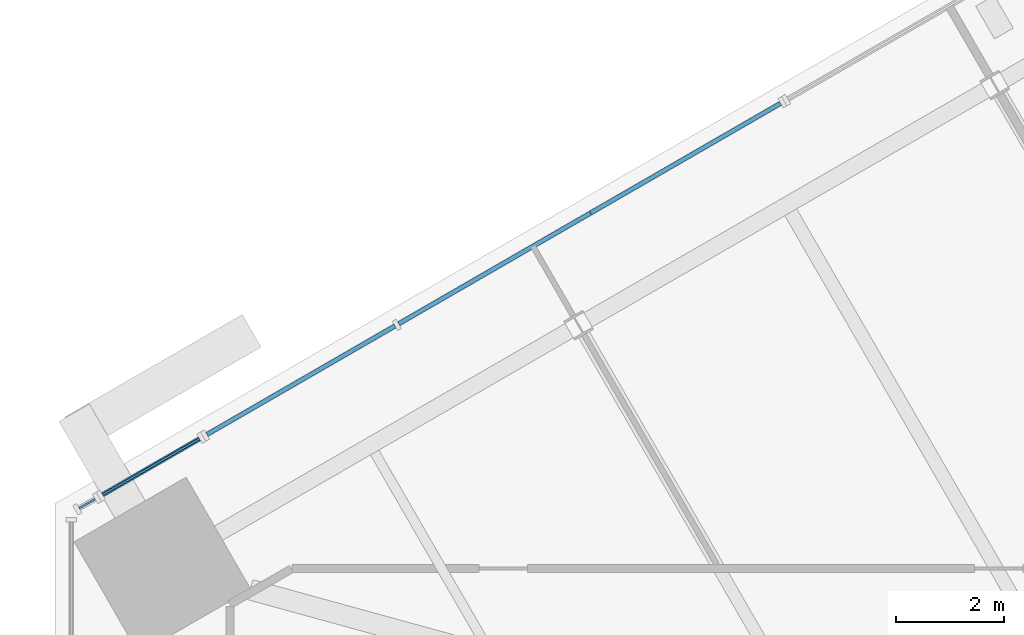
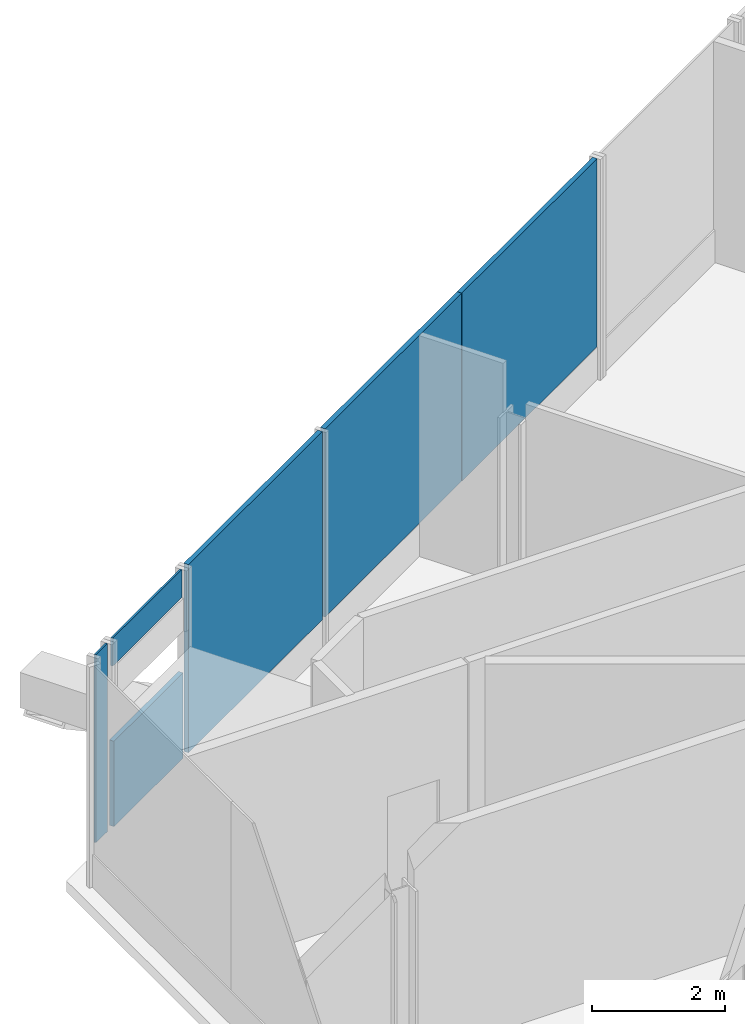
# One storey, part 14 of 22: 6 plates, 4 elements without a shape of their own.
"""IFC4 building model written with IfcOpenShell, lengths in metres."""

import ifcopenshell
import ifcopenshell.guid

model = None  # the IFC model being written
_history = None  # IfcOwnerHistory: only IFC2X3 demands one
_inside = {}  # id of a spatial element -> (the spatial element, [elements in it])
_under = {}  # id of a project, library or spatial element -> (it, [spatial elements below it])
_declared = {}  # id of a project -> (the project, [libraries it declares])
_typed = {}  # id of a type object -> (the type object, [elements of that type])
_made_of = {}  # id of a material, layer set ... -> (it, [elements and type objects made of it])


def new_model(schema):
    """Start an empty IFC model of exactly this schema.

    Asked for "IFC4X3", IfcOpenShell would pick the latest addendum, in which some entities
    have other attributes; the version numbers below select the first issue.
    IFC2X3 requires an IfcOwnerHistory on every rooted entity: one is made here for all.
    """
    global model, _history
    if schema == "IFC4X3":
        model = ifcopenshell.file(schema_version=(4, 3, 0, 0))
    else:
        model = ifcopenshell.file(schema=schema)
    _inside.clear()
    _under.clear()
    _declared.clear()
    _typed.clear()
    _made_of.clear()
    _history = None
    if model.schema == "IFC2X3":
        org = make("IfcOrganization", Name="unknown")
        user = make(
            "IfcPersonAndOrganization",
            ThePerson=make("IfcPerson", FamilyName="unknown"),
            TheOrganization=org,
        )
        app = make(
            "IfcApplication",
            ApplicationDeveloper=org,
            Version="unknown",
            ApplicationFullName="unknown",
            ApplicationIdentifier="unknown",
        )
        _history = make(
            "IfcOwnerHistory",
            OwningUser=user,
            OwningApplication=app,
            ChangeAction="ADDED",
            CreationDate=0,
        )
    return model


def make(cls, **values):
    """One entity of the class cls with the attributes given. An attribute that is None is left unset."""
    return model.create_entity(
        cls, **{name: value for name, value in values.items() if value is not None}
    )


def rooted(cls, **values):
    """An entity with a GlobalId (a new one), such as an element, a storey or a relation."""
    return make(cls, GlobalId=ifcopenshell.guid.new(), OwnerHistory=_history, **values)


def si_unit(unit_type, name, prefix=None):
    """IfcSIUnit, for example si_unit("LENGTHUNIT", "METRE", prefix="MILLI")."""
    return make("IfcSIUnit", UnitType=unit_type, Prefix=prefix, Name=name)


def assignment(units):
    """IfcUnitAssignment: the units of a project."""
    return None if units is None else make("IfcUnitAssignment", Units=units)


def point(xyz):
    """IfcCartesianPoint."""
    return None if xyz is None else make("IfcCartesianPoint", Coordinates=xyz)


def direction(xyz):
    """IfcDirection."""
    return None if xyz is None else make("IfcDirection", DirectionRatios=xyz)


def frame(location, z_axis=None, x_axis=None):
    """IfcAxis2Placement3D, a coordinate frame: its origin and axes. An axis left out is left unset."""
    return make(
        "IfcAxis2Placement3D",
        Location=point(location),
        Axis=direction(z_axis),
        RefDirection=direction(x_axis),
    )


def frame_2d(location, x_axis=None):
    """IfcAxis2Placement2D, a coordinate frame in the plane: its origin and x axis."""
    return make(
        "IfcAxis2Placement2D", Location=point(location), RefDirection=direction(x_axis)
    )


def origin():
    """The frame at (0, 0, 0) with its axes left unset."""
    return frame((0.0, 0.0, 0.0))


def origin_2d():
    """The frame at (0, 0) in the plane with its x axis left unset."""
    return frame_2d((0.0, 0.0))


def place(relative_to, where):
    """IfcLocalPlacement: puts the frame where relative to a parent placement (None: the world)."""
    return make(
        "IfcLocalPlacement", PlacementRelTo=relative_to, RelativePlacement=where
    )


def context(
    kind, dimensions, precision=None, world=None, true_north=None, identifier=None
):
    """IfcGeometricRepresentationContext, for example the 3D "Model" context."""
    return make(
        "IfcGeometricRepresentationContext",
        ContextIdentifier=identifier,
        ContextType=kind,
        CoordinateSpaceDimension=dimensions,
        Precision=precision,
        WorldCoordinateSystem=world,
        TrueNorth=true_north,
    )


def subcontext(parent, identifier, kind, view, scale=None):
    """IfcGeometricRepresentationSubContext, for example "Body" below "Model"."""
    return make(
        "IfcGeometricRepresentationSubContext",
        ContextIdentifier=identifier,
        ContextType=kind,
        ParentContext=parent,
        TargetScale=scale,
        TargetView=view,
    )


def project(units=None, contexts=None):
    """IfcProject with its units and contexts."""
    return rooted(
        "IfcProject",
        Name="project",
        RepresentationContexts=contexts,
        UnitsInContext=assignment(units),
    )


def spatial(cls, under=None, at=None, **own):
    """A site, building, storey or space (cls), placed at a placement, below another one or the project."""
    s = rooted(cls, ObjectPlacement=at, **own)
    if under is not None:
        _under.setdefault(under.id(), (under, []))[1].append(s)
    return s


def profile(cls, at=None, kind="AREA", **sizes):
    """A parametric profile (cls). Its sizes go by their IFC names, for example OverallWidth=200.0."""
    return make(cls, ProfileType=kind, Position=at, **sizes)


def rectangle(**sizes):
    """IfcRectangleProfileDef."""
    return profile("IfcRectangleProfileDef", **sizes)


def extrude(swept, where, along, depth):
    """IfcExtrudedAreaSolid: the profile swept, set in the frame where, extruded along a direction by depth."""
    return make(
        "IfcExtrudedAreaSolid",
        SweptArea=swept,
        Position=where,
        ExtrudedDirection=direction(along),
        Depth=depth,
    )


def shape(context_of_items, identifier, shape_type, items):
    """IfcShapeRepresentation: the items that make up one representation, for example the "Body"."""
    return make(
        "IfcShapeRepresentation",
        ContextOfItems=context_of_items,
        RepresentationIdentifier=identifier,
        RepresentationType=shape_type,
        Items=items,
    )


def source(mapping_origin, context_of_items, identifier, shape_type, items):
    """IfcRepresentationMap: a shape defined once, which mapped items show again and again."""
    return make(
        "IfcRepresentationMap",
        MappingOrigin=mapping_origin,
        MappedRepresentation=shape(context_of_items, identifier, shape_type, items),
    )


def transform(
    local_origin,
    x_axis=None,
    y_axis=None,
    z_axis=None,
    scale=None,
    scale2=None,
    scale3=None,
    uniform=True,
):
    """IfcCartesianTransformationOperator3D, or its non-uniform kind. x_axis, y_axis, z_axis: its Axis1, 2, 3."""
    if uniform:
        return make(
            "IfcCartesianTransformationOperator3D",
            Axis1=direction(x_axis),
            Axis2=direction(y_axis),
            LocalOrigin=point(local_origin),
            Scale=scale,
            Axis3=direction(z_axis),
        )
    return make(
        "IfcCartesianTransformationOperator3DnonUniform",
        Axis1=direction(x_axis),
        Axis2=direction(y_axis),
        LocalOrigin=point(local_origin),
        Scale=scale,
        Axis3=direction(z_axis),
        Scale2=scale2,
        Scale3=scale3,
    )


def mapped(mapping_source, mapping_target):
    """IfcMappedItem: shows the shape of a source again, moved by a transform."""
    return make(
        "IfcMappedItem", MappingSource=mapping_source, MappingTarget=mapping_target
    )


def material(Name=None, Category=None):
    """IfcMaterial."""
    return make("IfcMaterial", Name=Name, Category=Category)


def layer(
    of_material, thickness, ventilated=None, Name=None, Category=None, Priority=None
):
    """IfcMaterialLayer: one layer of a wall or slab, of a material (None: an air gap)."""
    return make(
        "IfcMaterialLayer",
        Material=of_material,
        LayerThickness=thickness,
        IsVentilated=ventilated,
        Name=Name,
        Category=Category,
        Priority=Priority,
    )


def layer_set(layers, Name=None):
    """IfcMaterialLayerSet."""
    return make("IfcMaterialLayerSet", MaterialLayers=layers, LayerSetName=Name)


def made_of(thing, what):
    """Note that an element or type object is made of a material, layer set ...; save() writes the relation."""
    if what is not None:
        _made_of.setdefault(what.id(), (what, []))[1].append(thing)
    return thing


def type_object(cls, material=None, **own):
    """A type object (cls), such as IfcWallType, which elements share."""
    return made_of(rooted(cls, **own), material)


def element(
    cls,
    number,
    at=None,
    inside=None,
    cuts=None,
    type_object=None,
    material=None,
    context=None,
    identifier="Body",
    shape_type=None,
    held_by="IfcProductDefinitionShape",
    body=None,
    shapes=None,
    **own,
):
    """One element of the class cls, such as IfcWall. Its Tag is "e" and its number.

    at: its placement. inside: the storey or other place that contains it. cuts: it is an
    opening in that element (IfcRelVoidsElement). A single representation is given by context,
    identifier, shape_type and body (its items); several are given by shapes. held_by: the class
    of the entity that holds the representations. save() writes the other relations.
    """
    e = rooted(cls, Tag="e%d" % number, ObjectPlacement=at, **own)
    if body is not None:
        shapes = [shape(context, identifier, shape_type, body)]
    if shapes is not None:
        e.Representation = make(held_by, Representations=shapes)
    if inside is not None:
        _inside.setdefault(inside.id(), (inside, []))[1].append(e)
    if cuts is not None:
        rooted(
            "IfcRelVoidsElement", RelatingBuildingElement=cuts, RelatedOpeningElement=e
        )
    if type_object is not None:
        _typed.setdefault(type_object.id(), (type_object, []))[1].append(e)
    return made_of(e, material)


def aggregate(whole, parts):
    """IfcRelAggregates: a whole, such as a stair, and the parts it consists of."""
    return rooted("IfcRelAggregates", RelatingObject=whole, RelatedObjects=parts)


def save(model, path):
    """Write the relations noted so far, then the file.

    IfcRelAggregates (storeys below a building ...), IfcRelContainedInSpatialStructure (elements
    in a storey), IfcRelDefinesByType, IfcRelAssociatesMaterial and IfcRelDeclares: one each for
    every whole, place, type object, material and project.
    """
    for whole, parts in _under.values():
        aggregate(whole, parts)
    for where, things in _inside.values():
        rooted(
            "IfcRelContainedInSpatialStructure",
            RelatedElements=things,
            RelatingStructure=where,
        )
    for kind, things in _typed.values():
        rooted("IfcRelDefinesByType", RelatedObjects=things, RelatingType=kind)
    for what, things in _made_of.values():
        rooted("IfcRelAssociatesMaterial", RelatedObjects=things, RelatingMaterial=what)
    for by, libraries in _declared.values():
        rooted("IfcRelDeclares", RelatingContext=by, RelatedDefinitions=libraries)
    model.write(path)


model = new_model("IFC4")

# Units and contexts
model_context = context("Model", 3, precision=1e-05, world=origin(), true_north=direction((0.0, 1.0)))
body_context = subcontext(model_context, "Body", "Model", "MODEL_VIEW")
ifc_project = project(units=[si_unit("LENGTHUNIT", "METRE"), si_unit("AREAUNIT", "SQUARE_METRE"), si_unit("VOLUMEUNIT", "CUBIC_METRE"), si_unit("PLANEANGLEUNIT", "RADIAN"), si_unit("MASSUNIT", "GRAM", prefix="KILO")], contexts=[model_context])

# Site, building, storey
site_placement = place(None, origin())
site = spatial("IfcSite", under=ifc_project, at=site_placement, CompositionType="ELEMENT")
building_placement = place(site_placement, origin())
building = spatial("IfcBuilding", under=site, at=building_placement, Name="Triune Harvest Tower", CompositionType="ELEMENT")
storey_placement = place(building_placement, frame((0.0, 0.0, 50.39990234375)))
storey = spatial("IfcBuildingStorey", under=building, at=storey_placement, Name="L11", CompositionType="ELEMENT", Elevation=50.39990234375)

# Curtain wall, plates
ifc_material_1 = material(Name="Aluminium bronze anodised", Category="aluminium")
curtain_wall_type_1 = type_object("IfcCurtainWallType", Name="CW-8 Farm floor curtain wall with insulated spandrel infill", PredefinedType="NOTDEFINED", material=ifc_material_1)
curtain_wall_1_placement = place(storey_placement, origin())
curtain_wall_1 = element("IfcCurtainWall", 1, at=curtain_wall_1_placement, inside=storey, type_object=curtain_wall_type_1, Name="CW-8 B1-F3 L11 run 4201")
ifc_material_2 = material(Name="Insulated spandrel panel, bronze aluminium pan", Category="aluminium")
ifc_layer_1 = layer(ifc_material_2, 0.080078125)
ifc_layer_set_1 = layer_set([ifc_layer_1], Name="Insulated spandrel panel, bronze aluminium pan")
plate_type_1 = type_object("IfcPlateType", Name="SP-1 insulated spandrel panel 80", PredefinedType="CURTAIN_PANEL", material=ifc_layer_set_1)
shared_shape_1 = source(origin(), body_context, "Body", "SweptSolid", [
    extrude(rectangle(XDim=4.06689453125, YDim=0.080078125, at=origin_2d()), origin(), (0.0, 0.0, 1.0), 3.449951171875),
])
plate_1_placement = place(storey_placement, frame((-24.289794921875, 12.963134765625, 0.60009765625), z_axis=(0.0, 0.0, 1.0), x_axis=(-0.866024422262, -0.500001700043, 0.0)))
plate_1 = element("IfcPlate", 2, at=plate_1_placement, type_object=plate_type_1, Name="CW-8 panel B1-F3 4201.1", PredefinedType="CURTAIN_PANEL", context=body_context, shape_type="MappedRepresentation", body=[
    mapped(shared_shape_1, transform((0.0, 0.0, 0.0), scale=1.0)),
])
shared_shape_2 = source(origin(), body_context, "Body", "SweptSolid", [
    extrude(rectangle(XDim=4.10693359375, YDim=0.080078125, at=origin_2d()), origin(), (0.0, 0.0, 1.0), 3.449951171875),
])
plate_2_placement = place(storey_placement, frame((-27.829345703125, 10.919677734375, 0.60009765625), z_axis=(0.0, 0.0, 1.0), x_axis=(-0.866024422262, -0.500001700043, 0.0)))
plate_2 = element("IfcPlate", 3, at=plate_2_placement, type_object=plate_type_1, Name="CW-8 panel B1-F3 4201.2", PredefinedType="CURTAIN_PANEL", context=body_context, shape_type="MappedRepresentation", body=[
    mapped(shared_shape_2, transform((0.0, 0.0, 0.0), scale=1.0)),
])
shared_shape_3 = source(origin(), body_context, "Body", "SweptSolid", [
    extrude(rectangle(XDim=4.02685546875, YDim=0.080078125, at=origin_2d()), origin(), (0.0, 0.0, 1.0), 3.449951171875),
])
plate_3_placement = place(storey_placement, frame((-31.420654296875, 8.84619140625, 0.60009765625), z_axis=(0.0, 0.0, 1.0), x_axis=(-0.866024422262, -0.500001700043, 0.0)))
plate_3 = element("IfcPlate", 4, at=plate_3_placement, type_object=plate_type_1, Name="CW-8 panel B1-F3 4201.3", PredefinedType="CURTAIN_PANEL", context=body_context, shape_type="MappedRepresentation", body=[
    mapped(shared_shape_3, transform((0.0, 0.0, 0.0), scale=1.0)),
])
aggregate(curtain_wall_1, [plate_1, plate_2, plate_3])

# Curtain wall, plate
curtain_wall_2_placement = place(storey_placement, origin())
curtain_wall_2 = element("IfcCurtainWall", 5, at=curtain_wall_2_placement, inside=storey, type_object=curtain_wall_type_1, Name="CW-8 B1-F3 L11 run 301")
shared_shape_4 = source(origin(), body_context, "Body", "SweptSolid", [
    extrude(rectangle(XDim=2.07373046875, YDim=0.080078125, at=origin_2d()), origin(), (0.0, 0.0, 1.0), 1.56494140625),
])
plate_4_placement = place(storey_placement, frame((-34.20068359375, 7.2412109375, 0.60009765625), z_axis=(0.0, 0.0, 1.0), x_axis=(-0.86603051402, -0.499991148709, 0.0)))
plate_4 = element("IfcPlate", 6, at=plate_4_placement, type_object=plate_type_1, Name="CW-8 panel B1-F3 301.1", PredefinedType="CURTAIN_PANEL", context=body_context, shape_type="MappedRepresentation", body=[
    mapped(shared_shape_4, transform((0.0, 0.0, 0.0), scale=1.0)),
])
aggregate(curtain_wall_2, [plate_4])

ifc_material_3 = material(Name="Aluminium bronze anodised", Category="aluminium")
curtain_wall_type_2 = type_object("IfcCurtainWallType", Name="CW-3 Farm floor curtain wall", PredefinedType="NOTDEFINED", material=ifc_material_3)
curtain_wall_3_placement = place(storey_placement, origin())
curtain_wall_3 = element("IfcCurtainWall", 7, at=curtain_wall_3_placement, inside=storey, type_object=curtain_wall_type_2, Name="CW-3 B1-F3 L11 run 401")
ifc_material_4 = material(Name="Glass", Category="glass")
ifc_layer_2 = layer(ifc_material_4, 0.035888671875)
ifc_layer_set_2 = layer_set([ifc_layer_2], Name="Glass")
plate_type_2 = type_object("IfcPlateType", Name="GL-3 panel 36", PredefinedType="CURTAIN_PANEL", material=ifc_layer_set_2)
shared_shape_5 = source(origin(), body_context, "Body", "SweptSolid", [
    extrude(rectangle(XDim=2.07373046875, YDim=0.035888671875, at=origin_2d()), origin(), (0.0, 0.0, 1.0), 0.514892578125),
])
plate_5_placement = place(storey_placement, frame((-34.20068359375, 7.2412109375, 3.53515625), z_axis=(0.0, 0.0, 1.0), x_axis=(-0.86603051402, -0.499991148709, 0.0)))
plate_5 = element("IfcPlate", 8, at=plate_5_placement, type_object=plate_type_2, Name="CW-3 panel B1-F3 401.1", PredefinedType="CURTAIN_PANEL", context=body_context, shape_type="MappedRepresentation", body=[
    mapped(shared_shape_5, transform((0.0, 0.0, 0.0), scale=1.0)),
])
aggregate(curtain_wall_3, [plate_5])

curtain_wall_4_placement = place(storey_placement, origin())
curtain_wall_4 = element("IfcCurtainWall", 9, at=curtain_wall_4_placement, inside=storey, type_object=curtain_wall_type_2, Name="CW-3 B1-F3 L11 run 501")
shared_shape_6 = source(origin(), body_context, "Body", "SweptSolid", [
    extrude(rectangle(XDim=0.341796875, YDim=0.035888671875, at=origin_2d()), origin(), (0.0, 0.0, 1.0), 3.449951171875),
])
plate_6_placement = place(storey_placement, frame((-35.38525390625, 6.55712890625, 0.60009765625), z_axis=(0.0, 0.0, 1.0), x_axis=(-0.866039577901, -0.499975448906, 0.0)))
plate_6 = element("IfcPlate", 10, at=plate_6_placement, type_object=plate_type_2, Name="CW-3 panel B1-F3 501.1", PredefinedType="CURTAIN_PANEL", context=body_context, shape_type="MappedRepresentation", body=[
    mapped(shared_shape_6, transform((0.0, 0.0, 0.0), scale=1.0)),
])
aggregate(curtain_wall_4, [plate_6])

save(model, "model.ifc")
